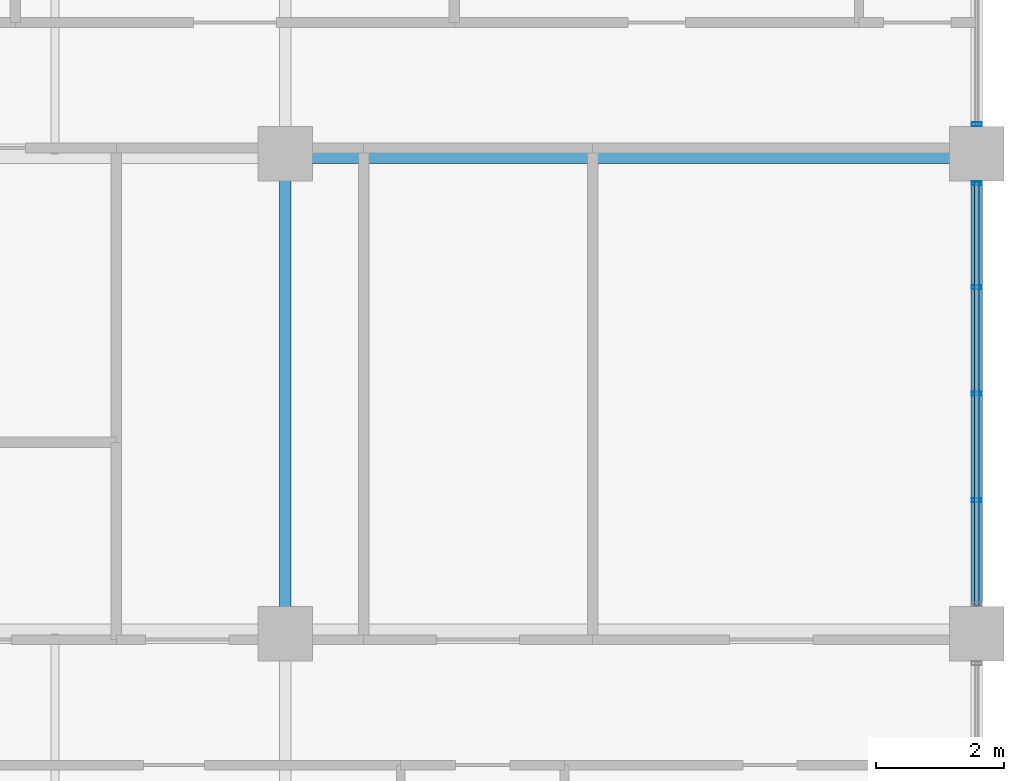
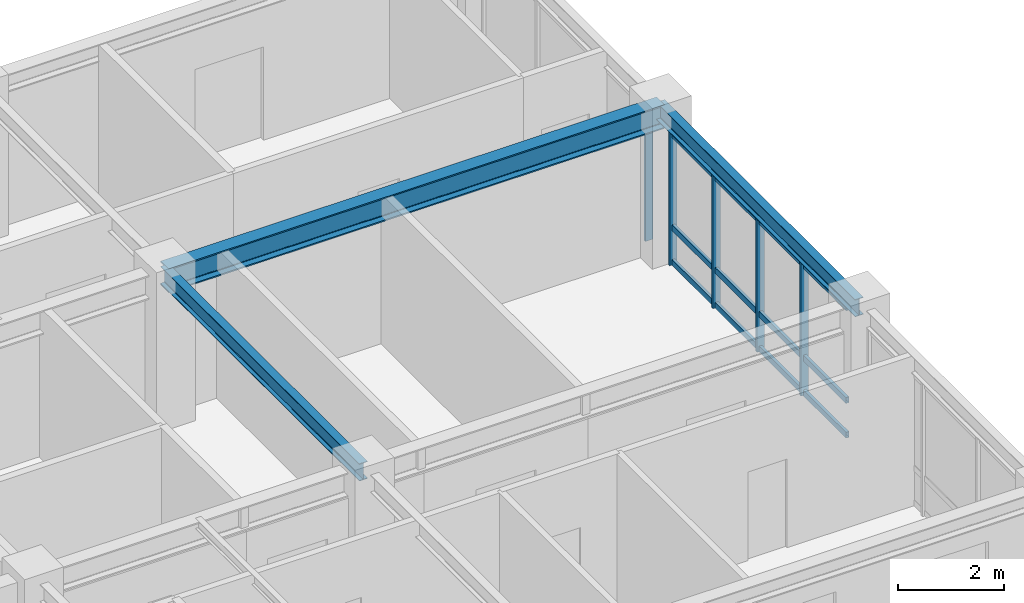
# One storey, part 3 of 10: 8 members, 3 beams, 2 elements without a shape of their own.
"""IFC4 building model written with IfcOpenShell, lengths in metres."""

from ifc_helpers import new_model, si_unit, direction, frame, origin, origin_2d, place, context, subcontext, project, spatial, hollow_rectangle, i_section, extrude, source, transform, mapped, material, layer, layer_set, material_profile, profile_set, type_object, element, aggregate, save


model = new_model("IFC4")

# Units and contexts
model_context = context("Model", 3, precision=1e-05, world=origin(), true_north=direction((0.0, 1.0)))
body_context = subcontext(model_context, "Body", "Model", "MODEL_VIEW")
ifc_project = project(units=[si_unit("LENGTHUNIT", "METRE"), si_unit("AREAUNIT", "SQUARE_METRE"), si_unit("VOLUMEUNIT", "CUBIC_METRE"), si_unit("PLANEANGLEUNIT", "RADIAN"), si_unit("MASSUNIT", "GRAM", prefix="KILO")], contexts=[model_context])

# Site, building, storey
site_placement = place(None, origin())
site = spatial("IfcSite", under=ifc_project, at=site_placement, CompositionType="ELEMENT")
building_placement = place(site_placement, origin())
building = spatial("IfcBuilding", under=site, at=building_placement, Name="Kaliganga Portal Commons", CompositionType="ELEMENT")
storey_placement = place(building_placement, frame((0.0, 0.0, 290.60009765625)))
storey = spatial("IfcBuildingStorey", under=building, at=storey_placement, Name="L75", CompositionType="ELEMENT", Elevation=290.60009765625)

# Beams
ifc_material_1 = material(Name="Structural steel S355J2", Category="steel")
ifc_material_profile_1 = material_profile(ifc_material_1, i_section(OverallWidth=0.300048828125, OverallDepth=0.550048828125, WebThickness=0.014892578125, FlangeThickness=0.029052734375, FilletRadius=0.027099609375, at=origin_2d()), Name="HE 550 B")
ifc_profile_set_1 = profile_set([ifc_material_profile_1], Name="Structural steel S355J2 wide-flange")
beam_type_1 = type_object("IfcBeamType", Name="BM-GIRD-550", PredefinedType="USERDEFINED", material=ifc_profile_set_1)
shared_shape_1 = source(origin(), body_context, "Body", "SweptSolid", [
    extrude(i_section(OverallWidth=0.300048828125, OverallDepth=0.550048828125, WebThickness=0.014892578125, FlangeThickness=0.029052734375, FilletRadius=0.027099609375, at=origin_2d()), origin(), (0.0, 0.0, 1.0), 10.800048828125),
])
beam_placement = place(storey_placement, frame((36.0, 36.14990234375, 3.199951171875), z_axis=(1.0, 0.0, 0.0), x_axis=(0.0, 1.0, 0.0)))
element("IfcBeam", 1, at=beam_placement, inside=storey, type_object=beam_type_1, Name="BM G L75 WAE_N 2", ObjectType="GIRDER", PredefinedType="USERDEFINED", context=body_context, shape_type="MappedRepresentation", body=[
    mapped(shared_shape_1, transform((0.0, 0.0, 0.0), x_axis=(1.0, 0.0, 0.0), y_axis=(0.0, 1.0, 0.0), z_axis=(0.0, 0.0, 1.0), scale=1.0)),
])
ifc_material_profile_2 = material_profile(ifc_material_1, i_section(OverallWidth=0.179931640625, OverallDepth=0.39990234375, WebThickness=0.008544921875, FlangeThickness=0.013427734375, FilletRadius=0.02099609375, at=origin_2d()), Name="IPE 400")
ifc_profile_set_2 = profile_set([ifc_material_profile_2], Name="Structural steel S355J2 wide-flange")
beam_type_2 = type_object("IfcBeamType", Name="BM-FLR-400", PredefinedType="BEAM", material=ifc_profile_set_2)
shared_shape_2 = source(origin(), body_context, "Body", "SweptSolid", [
    extrude(i_section(OverallWidth=0.179931640625, OverallDepth=0.39990234375, WebThickness=0.008544921875, FlangeThickness=0.013427734375, FilletRadius=0.02099609375, at=origin_2d()), origin(), (0.0, 0.0, 1.0), 7.5),
])
for number, where, z_axis, x_axis, name in (
    (2, (36.0, 28.64990234375, 3.27490234375), (0.0, 1.0, 0.0), (-1.0, 0.0, 0.0), "BM G L75 AM360"),
    (3, (46.800048828125, 28.64990234375, 3.27490234375), (0.0, 1.0, 0.0), (-1.0, 0.0, 0.0), "BM G L75 AM468"),
):
    element("IfcBeam", number, at=place(storey_placement, frame(where, z_axis=z_axis, x_axis=x_axis)), inside=storey, type_object=beam_type_2, Name=name, PredefinedType="BEAM", context=body_context, shape_type="MappedRepresentation", body=[
        mapped(shared_shape_2, transform((0.0, 0.0, 0.0), x_axis=(1.0, 0.0, 0.0), y_axis=(0.0, 1.0, 0.0), z_axis=(0.0, 0.0, 1.0), scale=1.0)),
    ])

# Curtain wall, members
ifc_material_2 = material(Name="Anodized Aluminium and Laminated Low-E Glass", Category="aluminium")
ifc_layer = layer(ifc_material_2, 0.18994140625)
ifc_layer_set = layer_set([ifc_layer], Name="Anodized Aluminium and Laminated Low-E Glass")
curtain_wall_type = type_object("IfcCurtainWallType", Name="CW-SYS-05", PredefinedType="NOTDEFINED", material=ifc_layer_set)
curtain_wall_1_placement = place(storey_placement, origin())
curtain_wall_1 = element("IfcCurtainWall", 4, at=curtain_wall_1_placement, inside=storey, type_object=curtain_wall_type, Name="CW 05 L75 P1E01S2", PredefinedType="NOTDEFINED")
ifc_material_3 = material(Name="Dark Bronze Anodized Aluminium", Category="aluminium")
ifc_material_profile_3 = material_profile(ifc_material_3, hollow_rectangle(XDim=0.06005859375, YDim=0.159912109375, WallThickness=0.00341796875, at=origin_2d()), Name="ALU MULL 60x160x3.5")
ifc_profile_set_3 = profile_set([ifc_material_profile_3], Name="Dark Bronze Anodized Aluminium")
member_type_1 = type_object("IfcMemberType", Name="CW-MUL-160", PredefinedType="MULLION", material=ifc_profile_set_3)
shared_shape_3 = source(origin(), body_context, "Body", "SweptSolid", [
    extrude(hollow_rectangle(XDim=0.06005859375, YDim=0.159912109375, WallThickness=0.00341796875, at=origin_2d()), origin(), (0.0, 0.0, 1.0), 3.074951171875),
])
member_1_placement = place(storey_placement, frame((46.800048828125, 30.738037109375, 0.0), z_axis=(0.0, 0.0, 1.0), x_axis=(0.0, 1.0, 0.0)))
member_1 = element("IfcMember", 5, at=member_1_placement, type_object=member_type_1, Name="CW:05:L75:P1E01S2 Mullion 01", PredefinedType="MULLION", context=body_context, shape_type="MappedRepresentation", body=[
    mapped(shared_shape_3, transform((0.0, 0.0, 0.0), x_axis=(1.0, 0.0, 0.0), y_axis=(0.0, 1.0, 0.0), z_axis=(0.0, 0.0, 1.0), scale=1.0)),
])
member_2_placement = place(storey_placement, frame((46.800048828125, 32.39990234375, 0.0), z_axis=(0.0, 0.0, 1.0), x_axis=(0.0, 1.0, 0.0)))
member_2 = element("IfcMember", 6, at=member_2_placement, type_object=member_type_1, Name="CW:05:L75:P1E01S2 Mullion 02", PredefinedType="MULLION", context=body_context, shape_type="MappedRepresentation", body=[
    mapped(shared_shape_3, transform((0.0, 0.0, 0.0), x_axis=(1.0, 0.0, 0.0), y_axis=(0.0, 1.0, 0.0), z_axis=(0.0, 0.0, 1.0), scale=1.0)),
])
member_3_placement = place(storey_placement, frame((46.800048828125, 34.06201171875, 0.0), z_axis=(0.0, 0.0, 1.0), x_axis=(0.0, 1.0, 0.0)))
member_3 = element("IfcMember", 7, at=member_3_placement, type_object=member_type_1, Name="CW:05:L75:P1E01S2 Mullion 03", PredefinedType="MULLION", context=body_context, shape_type="MappedRepresentation", body=[
    mapped(shared_shape_3, transform((0.0, 0.0, 0.0), x_axis=(1.0, 0.0, 0.0), y_axis=(0.0, 1.0, 0.0), z_axis=(0.0, 0.0, 1.0), scale=1.0)),
])
member_4_placement = place(storey_placement, frame((46.800048828125, 35.68896484375, 0.0), z_axis=(0.0, 0.0, 1.0), x_axis=(0.0, 1.0, 0.0)))
member_4 = element("IfcMember", 8, at=member_4_placement, type_object=member_type_1, Name="CW:05:L75:P1E01S2 Mullion 04", PredefinedType="MULLION", context=body_context, shape_type="MappedRepresentation", body=[
    mapped(shared_shape_3, transform((0.0, 0.0, 0.0), x_axis=(1.0, 0.0, 0.0), y_axis=(0.0, 1.0, 0.0), z_axis=(0.0, 0.0, 1.0), scale=1.0)),
])

# Curtain wall, member
curtain_wall_2_placement = place(storey_placement, origin())
curtain_wall_2 = element("IfcCurtainWall", 9, at=curtain_wall_2_placement, inside=storey, type_object=curtain_wall_type, Name="CW 05 L75 P1E01S3", PredefinedType="NOTDEFINED")
member_5_placement = place(storey_placement, frame((46.800048828125, 36.611083984375, 0.0), z_axis=(0.0, 0.0, 1.0), x_axis=(0.0, 1.0, 0.0)))
member_5 = element("IfcMember", 10, at=member_5_placement, type_object=member_type_1, Name="CW:05:L75:P1E01S3 Mullion 00", PredefinedType="MULLION", context=body_context, shape_type="MappedRepresentation", body=[
    mapped(shared_shape_3, transform((0.0, 0.0, 0.0), x_axis=(1.0, 0.0, 0.0), y_axis=(0.0, 1.0, 0.0), z_axis=(0.0, 0.0, 1.0), scale=1.0)),
])
aggregate(curtain_wall_2, [member_5])

# Member
ifc_material_profile_4 = material_profile(ifc_material_3, hollow_rectangle(XDim=0.06494140625, YDim=0.135009765625, WallThickness=0.00341796875, at=origin_2d()), Name="ALU TRAN 65x135x3.5")
ifc_profile_set_4 = profile_set([ifc_material_profile_4], Name="Dark Bronze Anodized Aluminium")
member_type_2 = type_object("IfcMemberType", Name="CW-TRN-135", PredefinedType="USERDEFINED", material=ifc_profile_set_4)
shared_shape_4 = source(origin(), body_context, "Body", "SweptSolid", [
    extrude(hollow_rectangle(XDim=0.06494140625, YDim=0.135009765625, WallThickness=0.00341796875, at=origin_2d()), origin(), (0.0, 0.0, 1.0), 6.608154296875),
])
member_6_placement = place(storey_placement, frame((46.800048828125, 29.095947265625, 0.059814453125), z_axis=(0.0, 1.0, 0.0), x_axis=(-1.0, 0.0, 0.0)))
member_6 = element("IfcMember", 11, at=member_6_placement, type_object=member_type_2, Name="CW:05:L75:P1E01S2 Transom 1", ObjectType="TRANSOM", PredefinedType="USERDEFINED", context=body_context, shape_type="MappedRepresentation", body=[
    mapped(shared_shape_4, transform((0.0, 0.0, 0.0), x_axis=(1.0, 0.0, 0.0), y_axis=(0.0, 1.0, 0.0), z_axis=(0.0, 0.0, 1.0), scale=1.0)),
])

member_7_placement = place(storey_placement, frame((46.800048828125, 29.095947265625, 0.86083984375), z_axis=(0.0, 1.0, 0.0), x_axis=(-1.0, 0.0, 0.0)))
member_7 = element("IfcMember", 12, at=member_7_placement, type_object=member_type_2, Name="CW:05:L75:P1E01S2 Transom 2", ObjectType="TRANSOM", PredefinedType="USERDEFINED", context=body_context, shape_type="MappedRepresentation", body=[
    mapped(shared_shape_4, transform((0.0, 0.0, 0.0), x_axis=(1.0, 0.0, 0.0), y_axis=(0.0, 1.0, 0.0), z_axis=(0.0, 0.0, 1.0), scale=1.0)),
])

member_8_placement = place(storey_placement, frame((46.800048828125, 29.095947265625, 2.994873046875), z_axis=(0.0, 1.0, 0.0), x_axis=(-1.0, 0.0, 0.0)))
member_8 = element("IfcMember", 13, at=member_8_placement, type_object=member_type_2, Name="CW:05:L75:P1E01S2 Transom 3", ObjectType="TRANSOM", PredefinedType="USERDEFINED", context=body_context, shape_type="MappedRepresentation", body=[
    mapped(shared_shape_4, transform((0.0, 0.0, 0.0), x_axis=(1.0, 0.0, 0.0), y_axis=(0.0, 1.0, 0.0), z_axis=(0.0, 0.0, 1.0), scale=1.0)),
])

aggregate(curtain_wall_1, [member_1, member_2, member_3, member_4, member_6, member_7, member_8])

save(model, "model.ifc")
